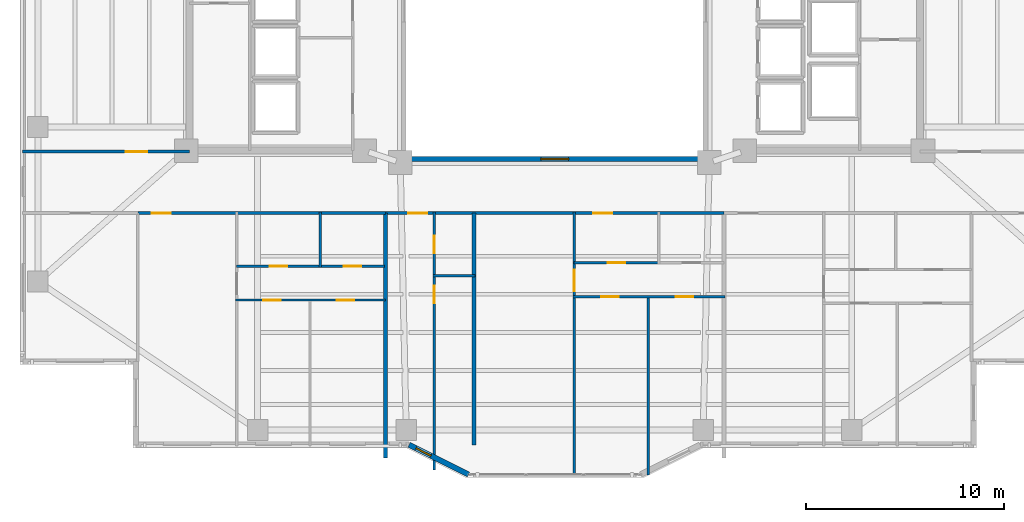
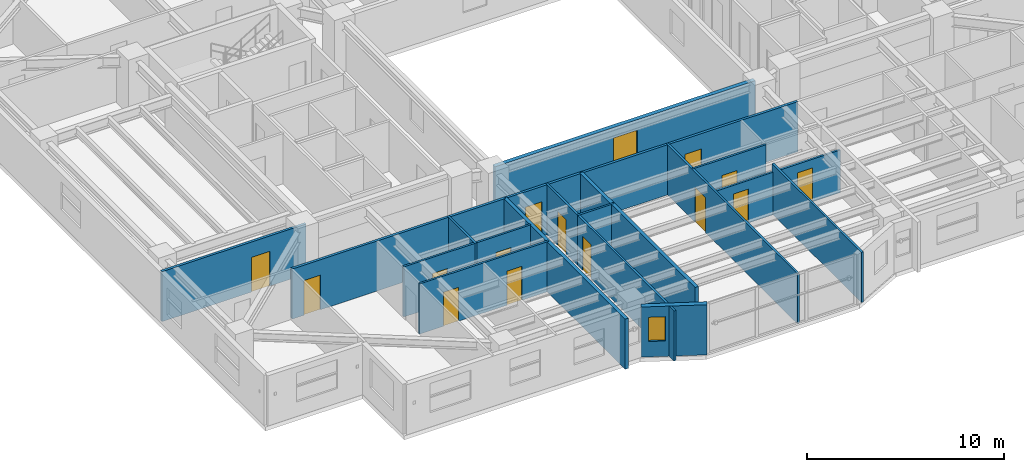
# One storey, part 6 of 18: 18 walls, 14 doors, 2 windows, 16 openings.
"""IFC4 building model written with IfcOpenShell, lengths in metres."""

from ifc_helpers import new_model, si_unit, direction, frame, frame_2d, origin, place, context, subcontext, project, spatial, rectangle, extrude, material, layer, layer_set, type_object, element, fill, save


model = new_model("IFC4")

# Units and contexts
model_context = context("Model", 3, precision=1e-05, world=origin(), true_north=direction((0.0, 1.0)))
body_context = subcontext(model_context, "Body", "Model", "MODEL_VIEW")
ifc_project = project(units=[si_unit("LENGTHUNIT", "METRE"), si_unit("AREAUNIT", "SQUARE_METRE"), si_unit("VOLUMEUNIT", "CUBIC_METRE"), si_unit("PLANEANGLEUNIT", "RADIAN"), si_unit("MASSUNIT", "GRAM", prefix="KILO")], contexts=[model_context])

# Site, building, storey
site_placement = place(None, origin())
site = spatial("IfcSite", under=ifc_project, at=site_placement, CompositionType="ELEMENT")
building_placement = place(site_placement, origin())
building = spatial("IfcBuilding", under=site, at=building_placement, Name="Tarnavaz Court Tower", CompositionType="ELEMENT")
storey_placement = place(building_placement, frame((0.0, 0.0, 85.0)))
storey = spatial("IfcBuildingStorey", under=building, at=storey_placement, Name="L22", CompositionType="ELEMENT", Elevation=85.0)

# Wall, opening, window
ifc_material_1 = material(Name="Precast Concrete C40/50", Category="concrete")
ifc_layer_1 = layer(ifc_material_1, 0.280029296875)
ifc_layer_set_1 = layer_set([ifc_layer_1], Name="Precast Concrete C40/50")
wall_type_1 = type_object("IfcWallType", Name="WL-EXT-280", PredefinedType="SOLIDWALL", material=ifc_layer_set_1)
wall_1_placement = place(storey_placement, frame((-4.35009765625, -23.550048828125, 0.0), z_axis=(0.0, 0.0, 1.0), x_axis=(-0.894427191, 0.4472135955, 0.0)))
wall_1 = element("IfcWall", 1, at=wall_1_placement, inside=storey, type_object=wall_type_1, Name="L22 Exterior Terracotta Facade Wall 18", PredefinedType="SOLIDWALL", context=body_context, shape_type="SweptSolid", body=[
    extrude(rectangle(XDim=3.35400390625, YDim=0.280029296875, at=frame_2d((1.677001953125, 0.0))), origin(), (0.0, 0.0, 1.0), 3.10009765625),
])
opening_1_placement = place(wall_1_placement, frame((2.12353515625, 0.0, 0.949951171875)))
opening_1 = element("IfcOpeningElement", 2, at=opening_1_placement, cuts=wall_1, Name="Opening W15", PredefinedType="OPENING", context=body_context, shape_type="SweptSolid", body=[
    extrude(rectangle(XDim=0.85009765625, YDim=1.5, at=frame_2d((0.425048828125, 0.75))), frame((0.0, 0.14990234375, 0.0), z_axis=(0.0, -1.0, 0.0), x_axis=(1.0, 0.0, 0.0)), (0.0, 0.0, 1.0), 0.300048828125),
])
ifc_material_2 = material(Name="Double-Glazed Solar Low-E Glass", Category="glass")
window_type_1 = type_object("IfcWindowType", Name="WN-APT-850", PartitioningType="SINGLE_PANEL", PredefinedType="WINDOW", material=ifc_material_2)
window_1_placement = place(opening_1_placement, origin())
window_1 = element("IfcWindow", 3, at=window_1_placement, inside=storey, type_object=window_type_1, Name="L22 Prow Cheek Bedroom Window 18", OverallHeight=1.5, OverallWidth=0.85009765625, PartitioningType="SINGLE_PANEL", PredefinedType="WINDOW", context=body_context, shape_type="SweptSolid", body=[
    extrude(rectangle(XDim=0.85009765625, YDim=1.5, at=frame_2d((0.425048828125, 0.75))), frame((0.0, 0.030029296875, 0.0), z_axis=(0.0, -1.0, 0.0), x_axis=(1.0, 0.0, 0.0)), (0.0, 0.0, 1.0), 0.06005859375),
])
fill(opening_1, window_1)

# Wall, opening, door
ifc_material_3 = material(Name="Gypsum Fire-Board on Acoustic Metal Stud", Category="masonry")
ifc_layer_2 = layer(ifc_material_3, 0.14990234375)
ifc_layer_set_2 = layer_set([ifc_layer_2], Name="Gypsum Fire-Board on Acoustic Metal Stud")
wall_type_2 = type_object("IfcWallType", Name="WL-FIRE-150", PredefinedType="PARTITIONING", material=ifc_layer_set_2)
wall_2_placement = place(storey_placement, frame((-21.050048828125, -10.35009765625, 0.0), z_axis=(0.0, 0.0, 1.0), x_axis=(1.0, 0.0, 0.0)))
wall_2 = element("IfcWall", 4, at=wall_2_placement, inside=storey, type_object=wall_type_2, Name="L22 SW Horseshoe Wall 073", PredefinedType="PARTITIONING", context=body_context, shape_type="SweptSolid", body=[
    extrude(rectangle(XDim=12.5, YDim=0.14990234375, at=frame_2d((6.25, 0.0))), origin(), (0.0, 0.0, 1.0), 3.10009765625),
])
opening_2_placement = place(wall_2_placement, frame((0.699951171875, 0.0, 0.0)))
opening_2 = element("IfcOpeningElement", 5, at=opening_2_placement, cuts=wall_2, Name="Opening D06", PredefinedType="OPENING", context=body_context, shape_type="SweptSolid", body=[
    extrude(rectangle(XDim=0.9599609375, YDim=2.14990234375, at=frame_2d((0.47998046875, 1.074951171875))), frame((0.0, 0.0849609375, 0.0), z_axis=(0.0, -1.0, 0.0), x_axis=(1.0, 0.0, 0.0)), (0.0, 0.0, 1.0), 0.169921875),
])
ifc_material_4 = material(Name="Fire-Rated Hardwood Timber Core", Category="wood")
door_type_1 = type_object("IfcDoorType", Name="DR-FD60-950", OperationType="NOTDEFINED", PredefinedType="DOOR", material=ifc_material_4)
door_1_placement = place(opening_2_placement, origin())
door_1 = element("IfcDoor", 6, at=door_1_placement, inside=storey, type_object=door_type_1, Name="L22 Flat 02 Entrance Door", OperationType="SINGLE_SWING_RIGHT", OverallHeight=2.14990234375, OverallWidth=0.9599609375, PredefinedType="DOOR", context=body_context, shape_type="SweptSolid", body=[
    extrude(rectangle(XDim=0.9599609375, YDim=2.14990234375, at=frame_2d((0.47998046875, 1.074951171875))), frame((0.0, 0.02490234375, 0.0), z_axis=(0.0, -1.0, 0.0), x_axis=(1.0, 0.0, 0.0)), (0.0, 0.0, 1.0), 0.050048828125),
])
fill(opening_2, door_1)

# Wall, openings, doors
wall_3_placement = place(storey_placement, frame((-8.550048828125, -10.35009765625, 0.0), z_axis=(0.0, 0.0, 1.0), x_axis=(1.0, 0.0, 0.0)))
wall_3 = element("IfcWall", 7, at=wall_3_placement, inside=storey, type_object=wall_type_2, Name="L22 Interior Partition 100", PredefinedType="PARTITIONING", context=body_context, shape_type="SweptSolid", body=[
    extrude(rectangle(XDim=17.10009765625, YDim=0.14990234375, at=frame_2d((8.550048828125, 0.0))), origin(), (0.0, 0.0, 1.0), 3.10009765625),
])
opening_3_placement = place(wall_3_placement, frame((1.14990234375, 0.0, 0.0)))
opening_3 = element("IfcOpeningElement", 8, at=opening_3_placement, cuts=wall_3, Name="Opening D06", PredefinedType="OPENING", context=body_context, shape_type="SweptSolid", body=[
    extrude(rectangle(XDim=0.9599609375, YDim=2.14990234375, at=frame_2d((0.47998046875, 1.074951171875))), frame((0.0, 0.0849609375, 0.0), z_axis=(0.0, -1.0, 0.0), x_axis=(1.0, 0.0, 0.0)), (0.0, 0.0, 1.0), 0.169921875),
])
opening_4_placement = place(wall_3_placement, frame((10.5, 0.0, 0.0)))
opening_4 = element("IfcOpeningElement", 9, at=opening_4_placement, cuts=wall_3, Name="Opening D06", PredefinedType="OPENING", context=body_context, shape_type="SweptSolid", body=[
    extrude(rectangle(XDim=0.9599609375, YDim=2.14990234375, at=frame_2d((0.47998046875, 1.074951171875))), frame((0.0, 0.0849609375, 0.0), z_axis=(0.0, -1.0, 0.0), x_axis=(1.0, 0.0, 0.0)), (0.0, 0.0, 1.0), 0.169921875),
])
door_2_placement = place(opening_3_placement, origin())
door_2 = element("IfcDoor", 10, at=door_2_placement, inside=storey, type_object=door_type_1, Name="L22 Flat 04 Entrance Door", OperationType="SINGLE_SWING_RIGHT", OverallHeight=2.14990234375, OverallWidth=0.9599609375, PredefinedType="DOOR", context=body_context, shape_type="SweptSolid", body=[
    extrude(rectangle(XDim=0.9599609375, YDim=2.14990234375, at=frame_2d((0.47998046875, 1.074951171875))), frame((0.0, 0.02490234375, 0.0), z_axis=(0.0, -1.0, 0.0), x_axis=(1.0, 0.0, 0.0)), (0.0, 0.0, 1.0), 0.050048828125),
])
fill(opening_3, door_2)
door_3_placement = place(opening_4_placement, origin())
door_3 = element("IfcDoor", 11, at=door_3_placement, inside=storey, type_object=door_type_1, Name="L22 Flat 05 Entrance Door", OperationType="SINGLE_SWING_LEFT", OverallHeight=2.14990234375, OverallWidth=0.9599609375, PredefinedType="DOOR", context=body_context, shape_type="SweptSolid", body=[
    extrude(rectangle(XDim=0.9599609375, YDim=2.14990234375, at=frame_2d((0.47998046875, 1.074951171875))), frame((0.0, 0.02490234375, 0.0), z_axis=(0.0, -1.0, 0.0), x_axis=(1.0, 0.0, 0.0)), (0.0, 0.0, 1.0), 0.050048828125),
])
fill(opening_4, door_3)

# Wall, opening, door
wall_4_placement = place(storey_placement, frame((-26.8798828125, -7.25, 0.0), z_axis=(0.0, 0.0, 1.0), x_axis=(1.0, 0.0, 0.0)))
wall_4 = element("IfcWall", 12, at=wall_4_placement, inside=storey, type_object=wall_type_2, Name="L22 Interior Partition 111", PredefinedType="PARTITIONING", context=body_context, shape_type="SweptSolid", body=[
    extrude(rectangle(XDim=8.429931640625, YDim=0.14990234375, at=frame_2d((4.21484375, 0.0))), origin(), (0.0, 0.0, 1.0), 3.10009765625),
])
opening_5_placement = place(wall_4_placement, frame((5.22998046875, 0.0, 0.0)))
opening_5 = element("IfcOpeningElement", 13, at=opening_5_placement, cuts=wall_4, Name="Opening D12", PredefinedType="OPENING", context=body_context, shape_type="SweptSolid", body=[
    extrude(rectangle(XDim=1.080078125, YDim=2.14990234375, at=frame_2d((0.5400390625, 1.074951171875))), frame((0.0, 0.0849609375, 0.0), z_axis=(0.0, -1.0, 0.0), x_axis=(1.0, 0.0, 0.0)), (0.0, 0.0, 1.0), 0.169921875),
])
ifc_material_5 = material(Name="Engineered Oak Timber", Category="wood")
door_type_2 = type_object("IfcDoorType", Name="DR-INT-1100", OperationType="NOTDEFINED", PredefinedType="DOOR", material=ifc_material_5)
door_4_placement = place(opening_5_placement, origin())
door_4 = element("IfcDoor", 14, at=door_4_placement, inside=storey, type_object=door_type_2, Name="L22 West Study Gallery Door", OperationType="SINGLE_SWING_LEFT", OverallHeight=2.14990234375, OverallWidth=1.080078125, PredefinedType="DOOR", context=body_context, shape_type="SweptSolid", body=[
    extrude(rectangle(XDim=1.080078125, YDim=2.14990234375, at=frame_2d((0.5400390625, 1.074951171875))), frame((0.0, 0.02490234375, 0.0), z_axis=(0.0, -1.0, 0.0), x_axis=(1.0, 0.0, 0.0)), (0.0, 0.0, 1.0), 0.050048828125),
])
fill(opening_5, door_4)

# Walls
ifc_material_6 = material(Name="Autoclaved Aerated Concrete Blockwork", Category="masonry")
ifc_layer_3 = layer(ifc_material_6, 0.199951171875)
ifc_layer_set_3 = layer_set([ifc_layer_3], Name="Autoclaved Aerated Concrete Blockwork")
wall_type_3 = type_object("IfcWallType", Name="WL-FIRE-200", PredefinedType="SOLIDWALL", material=ifc_layer_set_3)
wall_5_placement = place(storey_placement, frame((-8.550048828125, -22.7041015625, 0.0), z_axis=(0.0, 0.0, 1.0), x_axis=(0.0, 1.0, 0.0)))
element("IfcWall", 15, at=wall_5_placement, inside=storey, type_object=wall_type_3, Name="L22 Party Wall 098", PredefinedType="SOLIDWALL", context=body_context, shape_type="SweptSolid", body=[
    extrude(rectangle(XDim=12.35400390625, YDim=0.199951171875, at=frame_2d((6.177001953125, 0.0))), origin(), (0.0, 0.0, 1.0), 3.10009765625),
])
wall_6_placement = place(storey_placement, frame((-4.080078125, -22.050048828125, 0.0), z_axis=(0.0, 0.0, 1.0), x_axis=(0.0, 1.0, 0.0)))
element("IfcWall", 16, at=wall_6_placement, inside=storey, type_object=wall_type_3, Name="L22 Party Wall 101", PredefinedType="SOLIDWALL", context=body_context, shape_type="SweptSolid", body=[
    extrude(rectangle(XDim=11.699951171875, YDim=0.199951171875, at=frame_2d((5.85009765625, 0.0))), origin(), (0.0, 0.0, 1.0), 3.10009765625),
])

# Wall, opening, door
ifc_material_7 = material(Name="Moisture-Resistant Gypsum Board Partition", Category="masonry")
ifc_layer_4 = layer(ifc_material_7, 0.1201171875)
ifc_layer_set_4 = layer_set([ifc_layer_4], Name="Moisture-Resistant Gypsum Board Partition")
wall_type_4 = type_object("IfcWallType", Name="WL-PART-120", PredefinedType="PARTITIONING", material=ifc_layer_set_4)
wall_7_placement = place(storey_placement, frame((-16.05810546875, -13.030029296875, 0.0), z_axis=(0.0, 0.0, 1.0), x_axis=(1.0, 0.0, 0.0)))
wall_7 = element("IfcWall", 17, at=wall_7_placement, inside=storey, type_object=wall_type_4, Name="L22 Interior Partition 087", PredefinedType="PARTITIONING", context=body_context, shape_type="SweptSolid", body=[
    extrude(rectangle(XDim=4.217041015625, YDim=0.1201171875, at=frame_2d((2.1083984375, 0.0))), origin(), (0.0, 0.0, 1.0), 3.10009765625),
])
opening_6_placement = place(wall_7_placement, frame((1.6689453125, 0.0, 0.0)))
opening_6 = element("IfcOpeningElement", 18, at=opening_6_placement, cuts=wall_7, Name="Opening D14", PredefinedType="OPENING", context=body_context, shape_type="SweptSolid", body=[
    extrude(rectangle(XDim=0.8798828125, YDim=2.10009765625, at=frame_2d((0.43994140625, 1.050048828125))), frame((0.0, 0.070068359375, 0.0), z_axis=(0.0, -1.0, 0.0), x_axis=(1.0, 0.0, 0.0)), (0.0, 0.0, 1.0), 0.14013671875),
])
door_type_3 = type_object("IfcDoorType", Name="DR-INT-900", OperationType="NOTDEFINED", PredefinedType="DOOR", material=ifc_material_5)
door_5_placement = place(opening_6_placement, origin())
door_5 = element("IfcDoor", 19, at=door_5_placement, inside=storey, type_object=door_type_3, Name="L22 Flat 02 Kitchen Door", OperationType="SINGLE_SWING_RIGHT", OverallHeight=2.10009765625, OverallWidth=0.8798828125, PredefinedType="DOOR", context=body_context, shape_type="SweptSolid", body=[
    extrude(rectangle(XDim=0.8798828125, YDim=2.10009765625, at=frame_2d((0.43994140625, 1.050048828125))), frame((0.0, 0.02490234375, 0.0), z_axis=(0.0, -1.0, 0.0), x_axis=(1.0, 0.0, 0.0)), (0.0, 0.0, 1.0), 0.050048828125),
])
fill(opening_6, door_5)

wall_8_placement = place(storey_placement, frame((-11.841064453125, -13.030029296875, 0.0), z_axis=(0.0, 0.0, 1.0), x_axis=(1.0, 0.0, 0.0)))
wall_8 = element("IfcWall", 20, at=wall_8_placement, inside=storey, type_object=wall_type_4, Name="L22 Interior Partition 088", PredefinedType="PARTITIONING", context=body_context, shape_type="SweptSolid", body=[
    extrude(rectangle(XDim=3.240966796875, YDim=0.1201171875, at=frame_2d((1.62060546875, 0.0))), origin(), (0.0, 0.0, 1.0), 3.10009765625),
])
opening_7_placement = place(wall_8_placement, frame((1.179931640625, 0.0, 0.0)))
opening_7 = element("IfcOpeningElement", 21, at=opening_7_placement, cuts=wall_8, Name="Opening D14", PredefinedType="OPENING", context=body_context, shape_type="SweptSolid", body=[
    extrude(rectangle(XDim=0.8798828125, YDim=2.10009765625, at=frame_2d((0.43994140625, 1.050048828125))), frame((0.0, 0.070068359375, 0.0), z_axis=(0.0, -1.0, 0.0), x_axis=(1.0, 0.0, 0.0)), (0.0, 0.0, 1.0), 0.14013671875),
])
door_6_placement = place(opening_7_placement, origin())
door_6 = element("IfcDoor", 22, at=door_6_placement, inside=storey, type_object=door_type_3, Name="L22 Flat 02 Bathroom Door", OperationType="SINGLE_SWING_LEFT", OverallHeight=2.10009765625, OverallWidth=0.8798828125, PredefinedType="DOOR", context=body_context, shape_type="SweptSolid", body=[
    extrude(rectangle(XDim=0.8798828125, YDim=2.10009765625, at=frame_2d((0.43994140625, 1.050048828125))), frame((0.0, 0.02490234375, 0.0), z_axis=(0.0, -1.0, 0.0), x_axis=(1.0, 0.0, 0.0)), (0.0, 0.0, 1.0), 0.050048828125),
])
fill(opening_7, door_6)

# Wall, openings, doors
wall_9_placement = place(storey_placement, frame((-16.117919921875, -14.739990234375, 0.0), z_axis=(0.0, 0.0, 1.0), x_axis=(1.0, 0.0, 0.0)))
wall_9 = element("IfcWall", 23, at=wall_9_placement, inside=storey, type_object=wall_type_4, Name="L22 Interior Partition 089", PredefinedType="PARTITIONING", context=body_context, shape_type="SweptSolid", body=[
    extrude(rectangle(XDim=7.577880859375, YDim=0.1201171875, at=frame_2d((3.7890625, 0.0))), origin(), (0.0, 0.0, 1.0), 3.10009765625),
])
opening_8_placement = place(wall_9_placement, frame((1.408935546875, 0.0, 0.0)))
opening_8 = element("IfcOpeningElement", 24, at=opening_8_placement, cuts=wall_9, Name="Opening D14", PredefinedType="OPENING", context=body_context, shape_type="SweptSolid", body=[
    extrude(rectangle(XDim=0.8798828125, YDim=2.10009765625, at=frame_2d((0.43994140625, 1.050048828125))), frame((0.0, 0.070068359375, 0.0), z_axis=(0.0, -1.0, 0.0), x_axis=(1.0, 0.0, 0.0)), (0.0, 0.0, 1.0), 0.14013671875),
])
opening_9_placement = place(wall_9_placement, frame((5.10791015625, 0.0, 0.0)))
opening_9 = element("IfcOpeningElement", 25, at=opening_9_placement, cuts=wall_9, Name="Opening D14", PredefinedType="OPENING", context=body_context, shape_type="SweptSolid", body=[
    extrude(rectangle(XDim=0.8798828125, YDim=2.10009765625, at=frame_2d((0.43994140625, 1.050048828125))), frame((0.0, 0.070068359375, 0.0), z_axis=(0.0, -1.0, 0.0), x_axis=(1.0, 0.0, 0.0)), (0.0, 0.0, 1.0), 0.14013671875),
])
door_7_placement = place(opening_8_placement, origin())
door_7 = element("IfcDoor", 26, at=door_7_placement, inside=storey, type_object=door_type_3, Name="L22 Flat 02 Bedroom 1 Door", OperationType="SINGLE_SWING_RIGHT", OverallHeight=2.10009765625, OverallWidth=0.8798828125, PredefinedType="DOOR", context=body_context, shape_type="SweptSolid", body=[
    extrude(rectangle(XDim=0.8798828125, YDim=2.10009765625, at=frame_2d((0.43994140625, 1.050048828125))), frame((0.0, 0.02490234375, 0.0), z_axis=(0.0, -1.0, 0.0), x_axis=(1.0, 0.0, 0.0)), (0.0, 0.0, 1.0), 0.050048828125),
])
fill(opening_8, door_7)
door_8_placement = place(opening_9_placement, origin())
door_8 = element("IfcDoor", 27, at=door_8_placement, inside=storey, type_object=door_type_3, Name="L22 Flat 02 Bedroom 2 Door", OperationType="SINGLE_SWING_LEFT", OverallHeight=2.10009765625, OverallWidth=0.8798828125, PredefinedType="DOOR", context=body_context, shape_type="SweptSolid", body=[
    extrude(rectangle(XDim=0.8798828125, YDim=2.10009765625, at=frame_2d((0.43994140625, 1.050048828125))), frame((0.0, 0.02490234375, 0.0), z_axis=(0.0, -1.0, 0.0), x_axis=(1.0, 0.0, 0.0)), (0.0, 0.0, 1.0), 0.050048828125),
])
fill(opening_9, door_8)

# Wall
wall_10_placement = place(storey_placement, frame((-11.841064453125, -13.090087890625, 0.0), z_axis=(0.0, 0.0, 1.0), x_axis=(0.0, 1.0, 0.0)))
element("IfcWall", 28, at=wall_10_placement, inside=storey, type_object=wall_type_4, Name="L22 Interior Partition 090", PredefinedType="PARTITIONING", context=body_context, shape_type="SweptSolid", body=[
    extrude(rectangle(XDim=2.800048828125, YDim=0.1201171875, at=frame_2d((1.39990234375, 0.0))), origin(), (0.0, 0.0, 1.0), 3.10009765625),
])

# Wall, opening, door
wall_11_placement = place(storey_placement, frame((-6.080078125, -23.31396484375, 0.0), z_axis=(0.0, 0.0, 1.0), x_axis=(0.0, 1.0, 0.0)))
wall_11 = element("IfcWall", 29, at=wall_11_placement, inside=storey, type_object=wall_type_4, Name="L22 Interior Partition 102", PredefinedType="PARTITIONING", context=body_context, shape_type="SweptSolid", body=[
    extrude(rectangle(XDim=9.803955078125, YDim=0.1201171875, at=frame_2d((4.90185546875, 0.0))), origin(), (0.0, 0.0, 1.0), 3.10009765625),
])
opening_10_placement = place(wall_11_placement, frame((8.404052734375, 0.0, 0.0)))
opening_10 = element("IfcOpeningElement", 30, at=opening_10_placement, cuts=wall_11, Name="Opening D14", PredefinedType="OPENING", context=body_context, shape_type="SweptSolid", body=[
    extrude(rectangle(XDim=0.8798828125, YDim=2.10009765625, at=frame_2d((0.43994140625, 1.050048828125))), frame((0.0, 0.070068359375, 0.0), z_axis=(0.0, -1.0, 0.0), x_axis=(1.0, 0.0, 0.0)), (0.0, 0.0, 1.0), 0.14013671875),
])
door_9_placement = place(opening_10_placement, origin())
door_9 = element("IfcDoor", 31, at=door_9_placement, inside=storey, type_object=door_type_3, Name="L22 Flat 04 Kitchen Door", OperationType="SINGLE_SWING_LEFT", OverallHeight=2.10009765625, OverallWidth=0.8798828125, PredefinedType="DOOR", context=body_context, shape_type="SweptSolid", body=[
    extrude(rectangle(XDim=0.8798828125, YDim=2.10009765625, at=frame_2d((0.43994140625, 1.050048828125))), frame((0.0, 0.02490234375, 0.0), z_axis=(0.0, -1.0, 0.0), x_axis=(1.0, 0.0, 0.0)), (0.0, 0.0, 1.0), 0.050048828125),
])
fill(opening_10, door_9)

wall_12_placement = place(storey_placement, frame((-6.080078125, -13.510009765625, 0.0), z_axis=(0.0, 0.0, 1.0), x_axis=(0.0, 1.0, 0.0)))
wall_12 = element("IfcWall", 32, at=wall_12_placement, inside=storey, type_object=wall_type_4, Name="L22 Interior Partition 103", PredefinedType="PARTITIONING", context=body_context, shape_type="SweptSolid", body=[
    extrude(rectangle(XDim=3.219970703125, YDim=0.1201171875, at=frame_2d((1.60986328125, 0.0))), origin(), (0.0, 0.0, 1.0), 3.10009765625),
])
opening_11_placement = place(wall_12_placement, frame((1.139892578125, 0.0, 0.0)))
opening_11 = element("IfcOpeningElement", 33, at=opening_11_placement, cuts=wall_12, Name="Opening D14", PredefinedType="OPENING", context=body_context, shape_type="SweptSolid", body=[
    extrude(rectangle(XDim=0.8798828125, YDim=2.10009765625, at=frame_2d((0.43994140625, 1.050048828125))), frame((0.0, 0.070068359375, 0.0), z_axis=(0.0, -1.0, 0.0), x_axis=(1.0, 0.0, 0.0)), (0.0, 0.0, 1.0), 0.14013671875),
])
door_10_placement = place(opening_11_placement, origin())
door_10 = element("IfcDoor", 34, at=door_10_placement, inside=storey, type_object=door_type_3, Name="L22 Flat 04 Bathroom Door", OperationType="SINGLE_SWING_RIGHT", OverallHeight=2.10009765625, OverallWidth=0.8798828125, PredefinedType="DOOR", context=body_context, shape_type="SweptSolid", body=[
    extrude(rectangle(XDim=0.8798828125, YDim=2.10009765625, at=frame_2d((0.43994140625, 1.050048828125))), frame((0.0, 0.02490234375, 0.0), z_axis=(0.0, -1.0, 0.0), x_axis=(1.0, 0.0, 0.0)), (0.0, 0.0, 1.0), 0.050048828125),
])
fill(opening_11, door_10)

# Wall
wall_13_placement = place(storey_placement, frame((-6.139892578125, -13.510009765625, 0.0), z_axis=(0.0, 0.0, 1.0), x_axis=(1.0, 0.0, 0.0)))
element("IfcWall", 35, at=wall_13_placement, inside=storey, type_object=wall_type_4, Name="L22 Interior Partition 104", PredefinedType="PARTITIONING", context=body_context, shape_type="SweptSolid", body=[
    extrude(rectangle(XDim=2.119873046875, YDim=0.1201171875, at=frame_2d((1.06005859375, 0.0))), origin(), (0.0, 0.0, 1.0), 3.10009765625),
])

# Wall, opening, door
wall_14_placement = place(storey_placement, frame((0.97998046875, -23.580078125, 0.0), z_axis=(0.0, 0.0, 1.0), x_axis=(0.0, 1.0, 0.0)))
wall_14 = element("IfcWall", 36, at=wall_14_placement, inside=storey, type_object=wall_type_4, Name="L22 Interior Partition 105", PredefinedType="PARTITIONING", context=body_context, shape_type="SweptSolid", body=[
    extrude(rectangle(XDim=13.2900390625, YDim=0.1201171875, at=frame_2d((6.64501953125, 0.0))), origin(), (0.0, 0.0, 1.0), 3.10009765625),
])
opening_12_placement = place(wall_14_placement, frame((9.294921875, 0.0, 0.0)))
opening_12 = element("IfcOpeningElement", 37, at=opening_12_placement, cuts=wall_14, Name="Opening D12", PredefinedType="OPENING", context=body_context, shape_type="SweptSolid", body=[
    extrude(rectangle(XDim=1.080078125, YDim=2.14990234375, at=frame_2d((0.5400390625, 1.074951171875))), frame((0.0, 0.070068359375, 0.0), z_axis=(0.0, -1.0, 0.0), x_axis=(1.0, 0.0, 0.0)), (0.0, 0.0, 1.0), 0.14013671875),
])
door_11_placement = place(opening_12_placement, origin())
door_11 = element("IfcDoor", 38, at=door_11_placement, inside=storey, type_object=door_type_2, Name="L22 Flat 05 Foyer Door", OperationType="SINGLE_SWING_RIGHT", OverallHeight=2.14990234375, OverallWidth=1.080078125, PredefinedType="DOOR", context=body_context, shape_type="SweptSolid", body=[
    extrude(rectangle(XDim=1.080078125, YDim=2.14990234375, at=frame_2d((0.5400390625, 1.074951171875))), frame((0.0, 0.02490234375, 0.0), z_axis=(0.0, -1.0, 0.0), x_axis=(1.0, 0.0, 0.0)), (0.0, 0.0, 1.0), 0.050048828125),
])
fill(opening_12, door_11)

wall_15_placement = place(storey_placement, frame((0.97998046875, -12.860107421875, 0.0), z_axis=(0.0, 0.0, 1.0), x_axis=(1.0, 0.0, 0.0)))
wall_15 = element("IfcWall", 39, at=wall_15_placement, inside=storey, type_object=wall_type_4, Name="L22 Interior Partition 106", PredefinedType="PARTITIONING", context=body_context, shape_type="SweptSolid", body=[
    extrude(rectangle(XDim=4.27490234375, YDim=0.1201171875, at=frame_2d((2.137451171875, 0.0))), origin(), (0.0, 0.0, 1.0), 3.10009765625),
])
opening_13_placement = place(wall_15_placement, frame((1.697998046875, 0.0, 0.0)))
opening_13 = element("IfcOpeningElement", 40, at=opening_13_placement, cuts=wall_15, Name="Opening D14", PredefinedType="OPENING", context=body_context, shape_type="SweptSolid", body=[
    extrude(rectangle(XDim=0.8798828125, YDim=2.10009765625, at=frame_2d((0.43994140625, 1.050048828125))), frame((0.0, 0.070068359375, 0.0), z_axis=(0.0, -1.0, 0.0), x_axis=(1.0, 0.0, 0.0)), (0.0, 0.0, 1.0), 0.14013671875),
])
door_12_placement = place(opening_13_placement, origin())
door_12 = element("IfcDoor", 41, at=door_12_placement, inside=storey, type_object=door_type_3, Name="L22 Flat 05 Kitchen Door", OperationType="SINGLE_SWING_LEFT", OverallHeight=2.10009765625, OverallWidth=0.8798828125, PredefinedType="DOOR", context=body_context, shape_type="SweptSolid", body=[
    extrude(rectangle(XDim=0.8798828125, YDim=2.10009765625, at=frame_2d((0.43994140625, 1.050048828125))), frame((0.0, 0.02490234375, 0.0), z_axis=(0.0, -1.0, 0.0), x_axis=(1.0, 0.0, 0.0)), (0.0, 0.0, 1.0), 0.050048828125),
])
fill(opening_13, door_12)

# Wall, openings, doors
wall_16_placement = place(storey_placement, frame((0.919921875, -14.570068359375, 0.0), z_axis=(0.0, 0.0, 1.0), x_axis=(1.0, 0.0, 0.0)))
wall_16 = element("IfcWall", 42, at=wall_16_placement, inside=storey, type_object=wall_type_4, Name="L22 Interior Partition 108", PredefinedType="PARTITIONING", context=body_context, shape_type="SweptSolid", body=[
    extrude(rectangle(XDim=7.690185546875, YDim=0.1201171875, at=frame_2d((3.84521484375, 0.0))), origin(), (0.0, 0.0, 1.0), 2.635009765625),
])
opening_14_placement = place(wall_16_placement, frame((1.43505859375, 0.0, 0.0)))
opening_14 = element("IfcOpeningElement", 43, at=opening_14_placement, cuts=wall_16, Name="Opening D14", PredefinedType="OPENING", context=body_context, shape_type="SweptSolid", body=[
    extrude(rectangle(XDim=0.8798828125, YDim=2.10009765625, at=frame_2d((0.43994140625, 1.050048828125))), frame((0.0, 0.070068359375, 0.0), z_axis=(0.0, -1.0, 0.0), x_axis=(1.0, 0.0, 0.0)), (0.0, 0.0, 1.0), 0.14013671875),
])
opening_15_placement = place(wall_16_placement, frame((5.18505859375, 0.0, 0.0)))
opening_15 = element("IfcOpeningElement", 44, at=opening_15_placement, cuts=wall_16, Name="Opening D14", PredefinedType="OPENING", context=body_context, shape_type="SweptSolid", body=[
    extrude(rectangle(XDim=0.8798828125, YDim=2.10009765625, at=frame_2d((0.43994140625, 1.050048828125))), frame((0.0, 0.070068359375, 0.0), z_axis=(0.0, -1.0, 0.0), x_axis=(1.0, 0.0, 0.0)), (0.0, 0.0, 1.0), 0.14013671875),
])
door_13_placement = place(opening_14_placement, origin())
door_13 = element("IfcDoor", 45, at=door_13_placement, inside=storey, type_object=door_type_3, Name="L22 Flat 05 Bedroom 1 Door", OperationType="SINGLE_SWING_LEFT", OverallHeight=2.10009765625, OverallWidth=0.8798828125, PredefinedType="DOOR", context=body_context, shape_type="SweptSolid", body=[
    extrude(rectangle(XDim=0.8798828125, YDim=2.10009765625, at=frame_2d((0.43994140625, 1.050048828125))), frame((0.0, 0.02490234375, 0.0), z_axis=(0.0, -1.0, 0.0), x_axis=(1.0, 0.0, 0.0)), (0.0, 0.0, 1.0), 0.050048828125),
])
fill(opening_14, door_13)
door_14_placement = place(opening_15_placement, origin())
door_14 = element("IfcDoor", 46, at=door_14_placement, inside=storey, type_object=door_type_3, Name="L22 Flat 05 Bedroom 2 Door", OperationType="SINGLE_SWING_RIGHT", OverallHeight=2.10009765625, OverallWidth=0.8798828125, PredefinedType="DOOR", context=body_context, shape_type="SweptSolid", body=[
    extrude(rectangle(XDim=0.8798828125, YDim=2.10009765625, at=frame_2d((0.43994140625, 1.050048828125))), frame((0.0, 0.02490234375, 0.0), z_axis=(0.0, -1.0, 0.0), x_axis=(1.0, 0.0, 0.0)), (0.0, 0.0, 1.0), 0.050048828125),
])
fill(opening_15, door_14)

# Wall
wall_17_placement = place(storey_placement, frame((4.72998046875, -23.580078125, 0.0), z_axis=(0.0, 0.0, 1.0), x_axis=(0.0, 1.0, 0.0)))
element("IfcWall", 47, at=wall_17_placement, inside=storey, type_object=wall_type_4, Name="L22 Interior Partition 110", PredefinedType="PARTITIONING", context=body_context, shape_type="SweptSolid", body=[
    extrude(rectangle(XDim=9.070068359375, YDim=0.1201171875, at=frame_2d((4.53515625, 0.0))), origin(), (0.0, 0.0, 1.0), 3.10009765625),
])

# Wall, opening, window
ifc_layer_5 = layer(ifc_material_1, 0.239990234375)
ifc_layer_set_5 = layer_set([ifc_layer_5], Name="Precast Concrete C40/50")
wall_type_5 = type_object("IfcWallType", Name="WL-WELL-240", PredefinedType="SOLIDWALL", material=ifc_layer_set_5)
wall_18_placement = place(storey_placement, frame((-7.6201171875, -7.6201171875, 0.0), z_axis=(0.0, 0.0, 1.0), x_axis=(1.0, 0.0, 0.0)))
wall_18 = element("IfcWall", 48, at=wall_18_placement, inside=storey, type_object=wall_type_5, Name="L22 Badgir Light-Well Exterior Wall S", PredefinedType="SOLIDWALL", context=body_context, shape_type="SweptSolid", body=[
    extrude(rectangle(XDim=15.240234375, YDim=0.239990234375, at=frame_2d((7.6201171875, 0.0))), origin(), (0.0, 0.0, 1.0), 3.10009765625),
])
opening_16_placement = place(wall_18_placement, frame((6.919921875, 0.0, 0.949951171875)))
opening_16 = element("IfcOpeningElement", 49, at=opening_16_placement, cuts=wall_18, Name="Opening W13", PredefinedType="OPENING", context=body_context, shape_type="SweptSolid", body=[
    extrude(rectangle(XDim=1.39990234375, YDim=1.5, at=frame_2d((0.699951171875, 0.75))), frame((0.0, 0.1298828125, 0.0), z_axis=(0.0, -1.0, 0.0), x_axis=(1.0, 0.0, 0.0)), (0.0, 0.0, 1.0), 0.260009765625),
])
window_type_2 = type_object("IfcWindowType", Name="WN-WEL-1400", PartitioningType="SINGLE_PANEL", PredefinedType="WINDOW", material=ifc_material_2)
window_2_placement = place(opening_16_placement, origin())
window_2 = element("IfcWindow", 50, at=window_2_placement, inside=storey, type_object=window_type_2, Name="L22 Courtyard Gallery Window S", OverallHeight=1.5, OverallWidth=1.39990234375, PartitioningType="SINGLE_PANEL", PredefinedType="WINDOW", context=body_context, shape_type="SweptSolid", body=[
    extrude(rectangle(XDim=1.39990234375, YDim=1.5, at=frame_2d((0.699951171875, 0.75))), frame((0.0, 0.030029296875, 0.0), z_axis=(0.0, -1.0, 0.0), x_axis=(1.0, 0.0, 0.0)), (0.0, 0.0, 1.0), 0.06005859375),
])
fill(opening_16, window_2)

save(model, "model.ifc")
